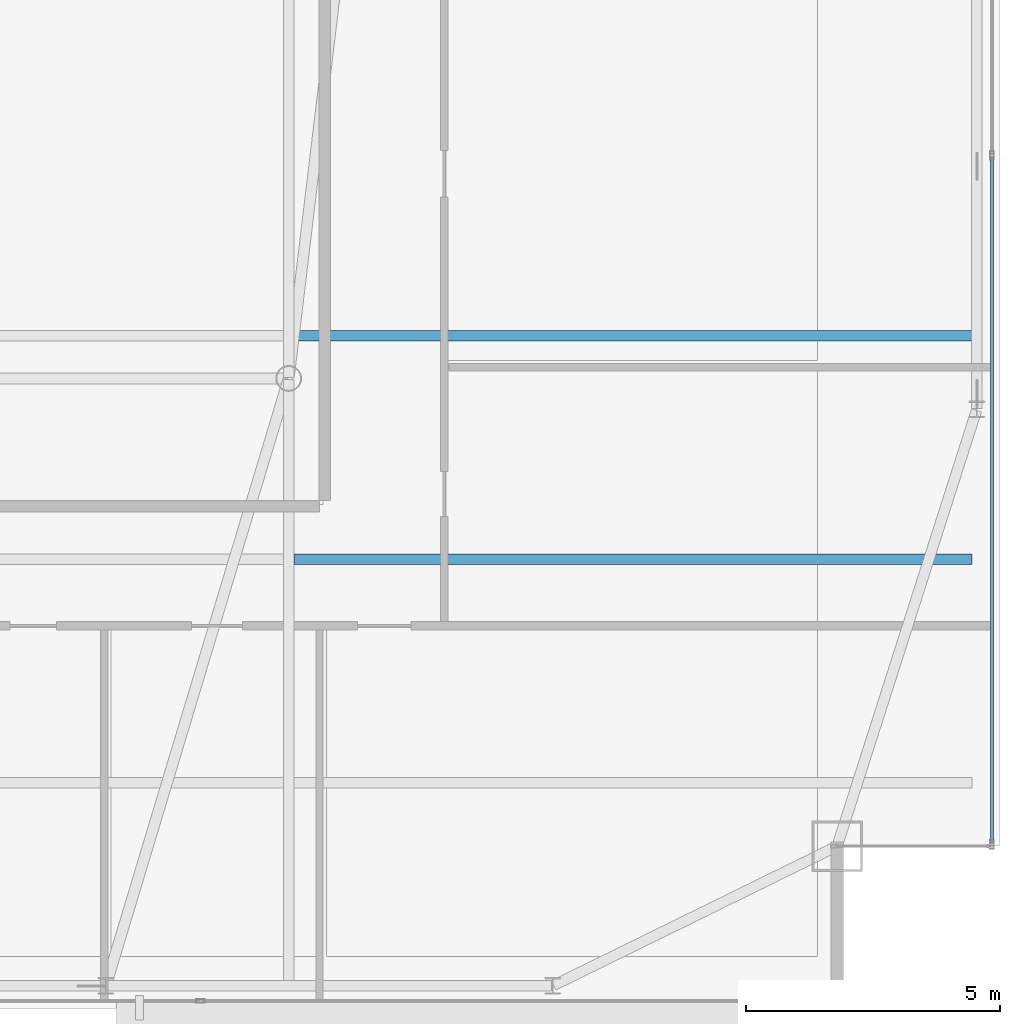
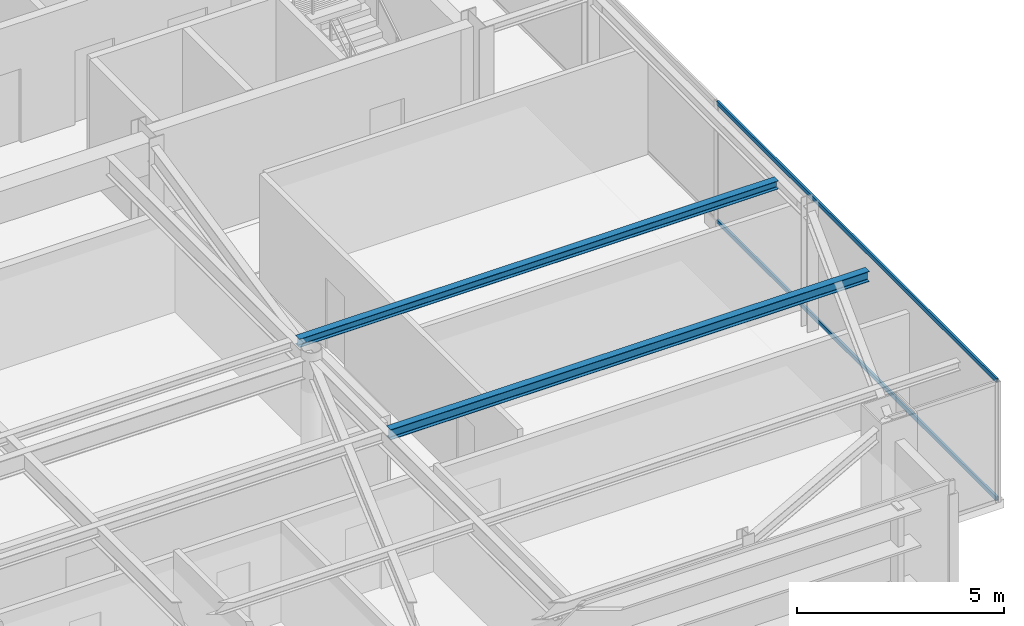
# One storey, part 15 of 24: 2 beams, 2 members, 1 element without a shape of its own.
"""IFC4 building model written with IfcOpenShell, lengths in metres."""

from ifc_helpers import new_model, si_unit, direction, frame, origin, origin_2d, place, context, subcontext, project, spatial, hollow_rectangle, i_section, extrude, source, transform, mapped, material, layer, layer_set, material_profile, profile_set, type_object, type_shapes, element, aggregate, save


model = new_model("IFC4")

# Units and contexts
model_context = context("Model", 3, precision=1e-05, world=origin(), true_north=direction((0.0, 1.0)))
body_context = subcontext(model_context, "Body", "Model", "MODEL_VIEW")
ifc_project = project(units=[si_unit("LENGTHUNIT", "METRE"), si_unit("AREAUNIT", "SQUARE_METRE"), si_unit("VOLUMEUNIT", "CUBIC_METRE"), si_unit("PLANEANGLEUNIT", "RADIAN"), si_unit("MASSUNIT", "GRAM", prefix="KILO")], contexts=[model_context])

# Site, building, storey
site_placement = place(None, origin())
site = spatial("IfcSite", under=ifc_project, at=site_placement, CompositionType="ELEMENT")
building_placement = place(site_placement, origin())
building = spatial("IfcBuilding", under=site, at=building_placement, Name="Varnel Quay Broadcast Tower", CompositionType="ELEMENT")
storey_placement = place(building_placement, frame((0.0, 0.0, 292.60009765625)))
storey = spatial("IfcBuildingStorey", under=building, at=storey_placement, Name="L73", CompositionType="ELEMENT", Elevation=292.60009765625)

# Beams
ifc_material_1 = material(Name="Structural Steel CSA G40.21 350W", Category="steel")
ifc_material_profile_1 = material_profile(ifc_material_1, i_section(OverallWidth=0.201904296875, OverallDepth=0.2470703125, WebThickness=0.00732421875, FlangeThickness=0.010986328125, FilletRadius=0.010986328125, at=origin_2d()), Name="W250X49")
ifc_profile_set_1 = profile_set([ifc_material_profile_1], Name="Structural Steel CSA G40.21 350W")
beam_type_1 = type_object("IfcBeamType", Name="Beam_W250X49", PredefinedType="JOIST", material=ifc_profile_set_1)
shared_shape_1 = source(origin(), body_context, "Body", "SweptSolid", [
    extrude(i_section(OverallWidth=0.201904296875, OverallDepth=0.2470703125, WebThickness=0.00732421875, FlangeThickness=0.010986328125, FilletRadius=0.010986328125, at=origin_2d()), origin(), (0.0, 0.0, 1.0), 13.351318359375),
])
type_shapes(beam_type_1, [shared_shape_1])
beam_1_placement = place(storey_placement, frame((42.10107421875, 26.449951171875, 3.426513671875), z_axis=(1.0, 0.0, 0.0), x_axis=(0.0, 1.0, 0.0)))
element("IfcBeam", 1, at=beam_1_placement, inside=storey, type_object=beam_type_1, Name="L73 East Floor Joist 3", PredefinedType="JOIST", context=body_context, shape_type="MappedRepresentation", body=[
    mapped(shared_shape_1, transform((0.0, 0.0, 0.0), x_axis=(1.0, 0.0, 0.0), y_axis=(0.0, 1.0, 0.0), z_axis=(0.0, 0.0, 1.0), scale=1.0)),
])
ifc_material_profile_2 = material_profile(ifc_material_1, i_section(OverallWidth=0.202880859375, OverallDepth=0.302978515625, WebThickness=0.007568359375, FlangeThickness=0.01318359375, FilletRadius=0.011962890625, at=origin_2d()), Name="W310X60")
ifc_profile_set_2 = profile_set([ifc_material_profile_2], Name="Structural Steel CSA G40.21 350W")
beam_type_2 = type_object("IfcBeamType", Name="Beam_W310X60", PredefinedType="JOIST", material=ifc_profile_set_2)
shared_shape_2 = source(origin(), body_context, "Body", "SweptSolid", [
    extrude(i_section(OverallWidth=0.202880859375, OverallDepth=0.302978515625, WebThickness=0.007568359375, FlangeThickness=0.01318359375, FilletRadius=0.011962890625, at=origin_2d()), origin(), (0.0, 0.0, 1.0), 13.351318359375),
])
type_shapes(beam_type_2, [shared_shape_2])
beam_2_placement = place(storey_placement, frame((42.10107421875, 22.050048828125, 3.3984375), z_axis=(1.0, 0.0, 0.0), x_axis=(0.0, 1.0, 0.0)))
element("IfcBeam", 2, at=beam_2_placement, inside=storey, type_object=beam_type_2, Name="L73 East Floor Joist 2", PredefinedType="JOIST", context=body_context, shape_type="MappedRepresentation", body=[
    mapped(shared_shape_2, transform((0.0, 0.0, 0.0), x_axis=(1.0, 0.0, 0.0), y_axis=(0.0, 1.0, 0.0), z_axis=(0.0, 0.0, 1.0), scale=1.0)),
])

# Curtain wall, members
ifc_material_2 = material(Name="Anodised Bronze Aluminium 6063-T6", Category="aluminium")
ifc_layer = layer(ifc_material_2, 0.18994140625, Name="Anodised Bronze Aluminium 6063-T6")
ifc_layer_set = layer_set([ifc_layer], Name="Anodised Bronze Aluminium 6063-T6")
curtain_wall_type = type_object("IfcCurtainWallType", Name="CW_UpperTower", PredefinedType="NOTDEFINED", material=ifc_layer_set)
curtain_wall_placement = place(storey_placement, origin())
curtain_wall = element("IfcCurtainWall", 3, at=curtain_wall_placement, inside=storey, type_object=curtain_wall_type, Name="L73 East Unitised Curtain Wall", PredefinedType="NOTDEFINED")
ifc_material_profile_3 = material_profile(ifc_material_2, hollow_rectangle(XDim=0.06005859375, YDim=0.125, WallThickness=0.0029296875, at=origin_2d()), Name="ALU60X125X3")
ifc_profile_set_3 = profile_set([ifc_material_profile_3], Name="Anodised Bronze Aluminium 6063-T6")
member_type = type_object("IfcMemberType", Name="Tran_CWS-03", PredefinedType="USERDEFINED", material=ifc_profile_set_3)
shared_shape_3 = source(origin(), body_context, "Body", "SweptSolid", [
    extrude(hollow_rectangle(XDim=0.06005859375, YDim=0.125, WallThickness=0.0029296875, at=origin_2d()), origin(), (0.0, 0.0, 1.0), 13.50244140625),
])
type_shapes(member_type, [shared_shape_3])
member_1_placement = place(storey_placement, frame((55.85009765625, 16.465087890625, 0.02978515625), z_axis=(0.0, 1.0, 0.0), x_axis=(-1.0, 0.0, 0.0)))
member_1 = element("IfcMember", 4, at=member_1_placement, type_object=member_type, Name="CWS-03 transom 1.1", ObjectType="TRANSOM", PredefinedType="USERDEFINED", context=body_context, shape_type="MappedRepresentation", body=[
    mapped(shared_shape_3, transform((0.0, 0.0, 0.0), x_axis=(1.0, 0.0, 0.0), y_axis=(0.0, 1.0, 0.0), z_axis=(0.0, 0.0, 1.0), scale=1.0)),
])
member_2_placement = place(storey_placement, frame((55.85009765625, 16.465087890625, 3.52001953125), z_axis=(0.0, 1.0, 0.0), x_axis=(-1.0, 0.0, 0.0)))
member_2 = element("IfcMember", 5, at=member_2_placement, type_object=member_type, Name="CWS-03 transom 1.2", ObjectType="TRANSOM", PredefinedType="USERDEFINED", context=body_context, shape_type="MappedRepresentation", body=[
    mapped(shared_shape_3, transform((0.0, 0.0, 0.0), x_axis=(1.0, 0.0, 0.0), y_axis=(0.0, 1.0, 0.0), z_axis=(0.0, 0.0, 1.0), scale=1.0)),
])
aggregate(curtain_wall, [member_1, member_2])

save(model, "model.ifc")
